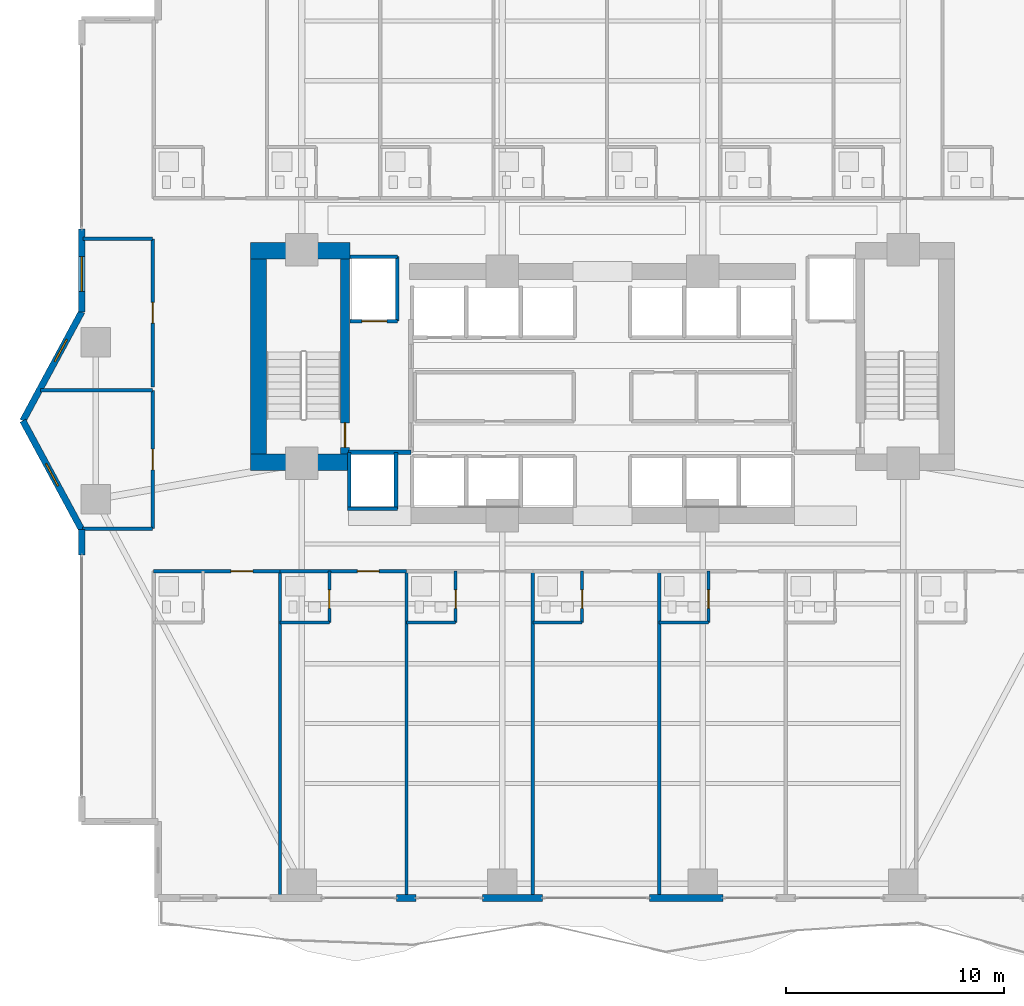
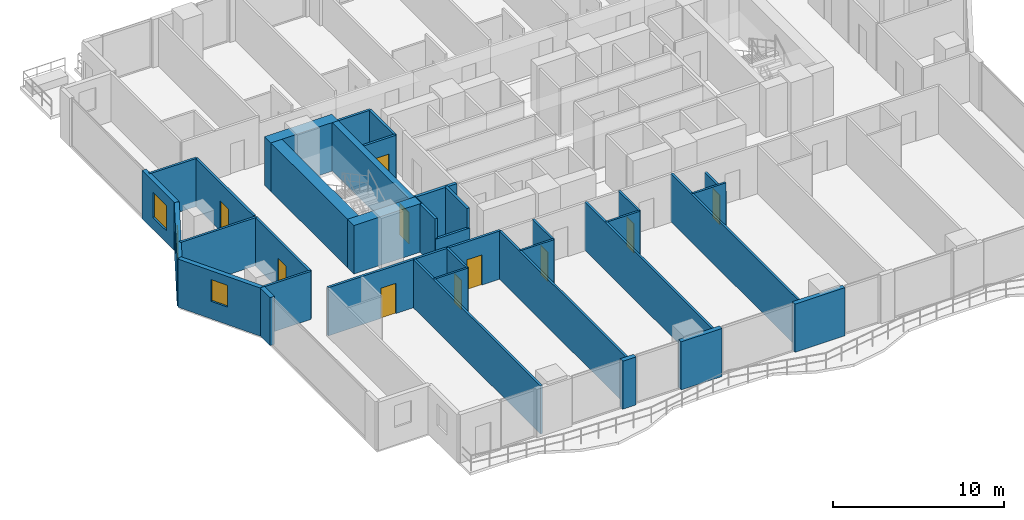
# One storey, part 21 of 29: 37 walls, 10 doors, 3 windows, 13 openings.
"""IFC4 building model written with IfcOpenShell, lengths in metres."""

from ifc_helpers import new_model, si_unit, direction, frame, frame_2d, origin, place, context, subcontext, project, spatial, rectangle, extrude, material, layer, layer_set, type_object, element, fill, save


model = new_model("IFC4")

# Units and contexts
model_context = context("Model", 3, precision=1e-05, world=origin(), true_north=direction((0.0, 1.0)))
body_context = subcontext(model_context, "Body", "Model", "MODEL_VIEW")
ifc_project = project(units=[si_unit("LENGTHUNIT", "METRE"), si_unit("AREAUNIT", "SQUARE_METRE"), si_unit("VOLUMEUNIT", "CUBIC_METRE"), si_unit("PLANEANGLEUNIT", "RADIAN"), si_unit("MASSUNIT", "GRAM", prefix="KILO")], contexts=[model_context])

# Site, building, storey
site_placement = place(None, origin())
site = spatial("IfcSite", under=ifc_project, at=site_placement, CompositionType="ELEMENT")
building_placement = place(site_placement, origin())
building = spatial("IfcBuilding", under=site, at=building_placement, Name="Zuhayl Quay Hotel", CompositionType="ELEMENT")
storey_placement = place(building_placement, frame((0.0, 0.0, 150.39990234375)))
storey = spatial("IfcBuildingStorey", under=building, at=storey_placement, Name="L38", CompositionType="ELEMENT", Elevation=150.39990234375)

# Walls
ifc_material_1 = material(Name="Concrete C60/75", Category="concrete")
ifc_layer_1 = layer(ifc_material_1, 0.75, Name="Concrete C60/75", Category="concrete")
ifc_layer_set_1 = layer_set([ifc_layer_1], Name="Concrete C60/75")
wall_type_1 = type_object("IfcWallType", Name="WL_CORE_750", PredefinedType="SHEAR", material=ifc_layer_set_1)
wall_1_placement = place(storey_placement, frame((-16.159912109375, 14.304931640625, 0.0), z_axis=(0.0, 0.0, 1.0), x_axis=(1.0, 0.0, 0.0)))
element("IfcWall", 1, at=wall_1_placement, inside=storey, type_object=wall_type_1, Name="L38 Core Shear Wall CW_NW", PredefinedType="SHEAR", context=body_context, shape_type="SweptSolid", body=[
    extrude(rectangle(XDim=4.559814453125, YDim=0.75, at=frame_2d((2.27978515625, 0.0))), origin(), (0.0, 0.0, 1.0), 3.460205078125),
])
wall_2_placement = place(storey_placement, frame((-15.784912109375, 4.969970703125, 0.0), z_axis=(0.0, 0.0, 1.0), x_axis=(0.0, 1.0, 0.0)))
element("IfcWall", 2, at=wall_2_placement, inside=storey, type_object=wall_type_1, Name="L38 Core Shear Wall CW_W", PredefinedType="SHEAR", context=body_context, shape_type="SweptSolid", body=[
    extrude(rectangle(XDim=8.9599609375, YDim=0.75, at=frame_2d((4.47998046875, 0.0))), origin(), (0.0, 0.0, 1.0), 3.460205078125),
])
wall_3_placement = place(storey_placement, frame((-16.159912109375, 4.594970703125, 0.0), z_axis=(0.0, 0.0, 1.0), x_axis=(1.0, 0.0, 0.0)))
element("IfcWall", 3, at=wall_3_placement, inside=storey, type_object=wall_type_1, Name="L38 Core Shear Wall CW_SW", PredefinedType="SHEAR", context=body_context, shape_type="SweptSolid", body=[
    extrude(rectangle(XDim=4.559814453125, YDim=0.75, at=frame_2d((2.27978515625, 0.0))), origin(), (0.0, 0.0, 1.0), 3.460205078125),
])
ifc_material_2 = material(Name="Precast concrete C45/55", Category="concrete")
ifc_layer_2 = layer(ifc_material_2, 0.300048828125, Name="Precast concrete C45/55", Category="concrete")
ifc_layer_set_2 = layer_set([ifc_layer_2], Name="Precast concrete C45/55")
wall_type_2 = type_object("IfcWallType", Name="WL_EXT_300", PredefinedType="STANDARD", material=ifc_layer_set_2)
wall_4_placement = place(storey_placement, frame((-23.89990234375, 0.35009765625, 0.0), z_axis=(0.0, 0.0, 1.0), x_axis=(0.0, 1.0, 0.0)))
element("IfcWall", 4, at=wall_4_placement, inside=storey, type_object=wall_type_2, Name="L38 Exterior Precast Wall ENV_L38_E02_EW2", PredefinedType="STANDARD", context=body_context, shape_type="SweptSolid", body=[
    extrude(rectangle(XDim=1.14990234375, YDim=0.300048828125, at=frame_2d((0.574951171875, 0.0))), origin(), (0.0, 0.0, 1.0), 3.43017578125),
])

# Wall, opening, window
wall_5_placement = place(storey_placement, frame((-23.89990234375, 1.5, 0.0), z_axis=(0.0, 0.0, 1.0), x_axis=(-0.475175525499, 0.879891027325, 0.0)))
wall_5 = element("IfcWall", 5, at=wall_5_placement, inside=storey, type_object=wall_type_2, Name="L38 Exterior Precast Wall ENV_L38_EW03", PredefinedType="STANDARD", context=body_context, shape_type="SweptSolid", body=[
    extrude(rectangle(XDim=5.6826171875, YDim=0.300048828125, at=frame_2d((2.84130859375, 0.0))), origin(), (0.0, 0.0, 1.0), 3.43017578125),
])
opening_1_placement = place(wall_5_placement, frame((2.290283203125, 0.0, 1.25)))
opening_1 = element("IfcOpeningElement", 6, at=opening_1_placement, cuts=wall_5, Name="Opening W01N", PredefinedType="OPENING", context=body_context, shape_type="SweptSolid", body=[
    extrude(rectangle(XDim=1.14990234375, YDim=1.550048828125, at=frame_2d((0.574951171875, 0.77490234375))), frame((0.0, 0.159912109375, 0.0), z_axis=(0.0, -1.0, 0.0), x_axis=(1.0, 0.0, 0.0)), (0.0, 0.0, 1.0), 0.320068359375),
])
ifc_material_3 = material(Name="Dark Ceramic-Fritted Solar Glass", Category="glass")
window_type_1 = type_object("IfcWindowType", Name="WN_NOTCH_1350", PartitioningType="SINGLE_PANEL", PredefinedType="WINDOW", material=ifc_material_3)
window_1_placement = place(opening_1_placement, origin())
window_1 = element("IfcWindow", 7, at=window_1_placement, inside=storey, type_object=window_type_1, Name="L38 Corner Notch Window 3", OverallHeight=1.550048828125, OverallWidth=1.14990234375, PartitioningType="SINGLE_PANEL", PredefinedType="WINDOW", context=body_context, shape_type="SweptSolid", body=[
    extrude(rectangle(XDim=1.14990234375, YDim=1.550048828125, at=frame_2d((0.574951171875, 0.77490234375))), frame((0.0, 0.030029296875, 0.0), z_axis=(0.0, -1.0, 0.0), x_axis=(1.0, 0.0, 0.0)), (0.0, 0.0, 1.0), 0.06005859375),
])
fill(opening_1, window_1)

wall_6_placement = place(storey_placement, frame((-26.60009765625, 6.5, 0.0), z_axis=(0.0, 0.0, 1.0), x_axis=(0.475175525499, 0.879891027325, 0.0)))
wall_6 = element("IfcWall", 8, at=wall_6_placement, inside=storey, type_object=wall_type_2, Name="L38 Exterior Precast Wall ENV_L38_EW04", PredefinedType="STANDARD", context=body_context, shape_type="SweptSolid", body=[
    extrude(rectangle(XDim=5.6826171875, YDim=0.300048828125, at=frame_2d((2.84130859375, 0.0))), origin(), (0.0, 0.0, 1.0), 3.43017578125),
])
opening_2_placement = place(wall_6_placement, frame((3.0859375, 0.0, 1.25)))
opening_2 = element("IfcOpeningElement", 9, at=opening_2_placement, cuts=wall_6, Name="Opening W01N", PredefinedType="OPENING", context=body_context, shape_type="SweptSolid", body=[
    extrude(rectangle(XDim=1.14990234375, YDim=1.550048828125, at=frame_2d((0.574951171875, 0.77490234375))), frame((0.0, 0.159912109375, 0.0), z_axis=(0.0, -1.0, 0.0), x_axis=(1.0, 0.0, 0.0)), (0.0, 0.0, 1.0), 0.320068359375),
])
window_2_placement = place(opening_2_placement, origin())
window_2 = element("IfcWindow", 10, at=window_2_placement, inside=storey, type_object=window_type_1, Name="L38 Corner Notch Window 4", OverallHeight=1.550048828125, OverallWidth=1.14990234375, PartitioningType="SINGLE_PANEL", PredefinedType="WINDOW", context=body_context, shape_type="SweptSolid", body=[
    extrude(rectangle(XDim=1.14990234375, YDim=1.550048828125, at=frame_2d((0.574951171875, 0.77490234375))), frame((0.0, 0.030029296875, 0.0), z_axis=(0.0, -1.0, 0.0), x_axis=(1.0, 0.0, 0.0)), (0.0, 0.0, 1.0), 0.06005859375),
])
fill(opening_2, window_2)

wall_7_placement = place(storey_placement, frame((-23.89990234375, 11.5, 0.0), z_axis=(0.0, 0.0, 1.0), x_axis=(0.0, 1.0, 0.0)))
wall_7 = element("IfcWall", 11, at=wall_7_placement, inside=storey, type_object=wall_type_2, Name="L38 Exterior Precast Wall ENV_L38_E05_EW1", PredefinedType="STANDARD", context=body_context, shape_type="SweptSolid", body=[
    extrude(rectangle(XDim=3.800048828125, YDim=0.300048828125, at=frame_2d((1.89990234375, 0.0))), origin(), (0.0, 0.0, 1.0), 3.43017578125),
])
opening_3_placement = place(wall_7_placement, frame((0.93505859375, 0.0, 0.85009765625)))
opening_3 = element("IfcOpeningElement", 12, at=opening_3_placement, cuts=wall_7, Name="Opening W01", PredefinedType="OPENING", context=body_context, shape_type="SweptSolid", body=[
    extrude(rectangle(XDim=1.60009765625, YDim=1.800048828125, at=frame_2d((0.800048828125, 0.89990234375))), frame((0.0, 0.159912109375, 0.0), z_axis=(0.0, -1.0, 0.0), x_axis=(1.0, 0.0, 0.0)), (0.0, 0.0, 1.0), 0.320068359375),
])
window_type_2 = type_object("IfcWindowType", Name="WN_OPERABLE_1600", PartitioningType="DOUBLE_PANEL_VERTICAL", PredefinedType="WINDOW", material=ifc_material_3)
window_3_placement = place(opening_3_placement, origin())
window_3 = element("IfcWindow", 13, at=window_3_placement, inside=storey, type_object=window_type_2, Name="L38 Operable Facade Window 1-1", OverallHeight=1.800048828125, OverallWidth=1.60009765625, PartitioningType="SINGLE_PANEL", PredefinedType="WINDOW", context=body_context, shape_type="SweptSolid", body=[
    extrude(rectangle(XDim=1.60009765625, YDim=1.800048828125, at=frame_2d((0.800048828125, 0.89990234375))), frame((0.0, 0.030029296875, 0.0), z_axis=(0.0, -1.0, 0.0), x_axis=(1.0, 0.0, 0.0)), (0.0, 0.0, 1.0), 0.06005859375),
])
fill(opening_3, window_3)

# Walls
wall_8_placement = place(storey_placement, frame((5.52001953125, -15.39990234375, 0.0), z_axis=(0.0, 0.0, 1.0), x_axis=(-1.0, 0.0, 0.0)))
element("IfcWall", 14, at=wall_8_placement, inside=storey, type_object=wall_type_2, Name="L38 Exterior Precast Wall ENV_L38_S_EW4", PredefinedType="STANDARD", context=body_context, shape_type="SweptSolid", body=[
    extrude(rectangle(XDim=3.3701171875, YDim=0.300048828125, at=frame_2d((1.68505859375, 0.0))), origin(), (0.0, 0.0, 1.0), 3.43017578125),
])
wall_9_placement = place(storey_placement, frame((-2.75, -15.39990234375, 0.0), z_axis=(0.0, 0.0, 1.0), x_axis=(-1.0, 0.0, 0.0)))
element("IfcWall", 15, at=wall_9_placement, inside=storey, type_object=wall_type_2, Name="L38 Exterior Precast Wall ENV_L38_S_EW5", PredefinedType="STANDARD", context=body_context, shape_type="SweptSolid", body=[
    extrude(rectangle(XDim=2.77001953125, YDim=0.300048828125, at=frame_2d((1.385009765625, 0.0))), origin(), (0.0, 0.0, 1.0), 3.43017578125),
])
wall_10_placement = place(storey_placement, frame((-8.550048828125, -15.39990234375, 0.0), z_axis=(0.0, 0.0, 1.0), x_axis=(-1.0, 0.0, 0.0)))
element("IfcWall", 16, at=wall_10_placement, inside=storey, type_object=wall_type_2, Name="L38 Exterior Precast Wall ENV_L38_S_EW6", PredefinedType="STANDARD", context=body_context, shape_type="SweptSolid", body=[
    extrude(rectangle(XDim=0.89990234375, YDim=0.300048828125, at=frame_2d((0.449951171875, 0.0))), origin(), (0.0, 0.0, 1.0), 3.43017578125),
])
ifc_material_4 = material(Name="Acoustic Gypsum Partition STC-58")
ifc_layer_3 = layer(ifc_material_4, 0.14990234375, Name="Acoustic Gypsum Partition STC-58")
ifc_layer_set_3 = layer_set([ifc_layer_3], Name="Acoustic Gypsum Partition STC-58")
wall_type_3 = type_object("IfcWallType", Name="WL_PART_150", PredefinedType="PARTITIONING", material=ifc_layer_set_3)
for number, where, z_axis, x_axis, name in (
    (17, (-14.800048828125, -15.320068359375, 0.0), (0.0, 0.0, 1.0), (0.0, 1.0, 0.0), "L38 Partition IW_L38_SU01_E"),
    (18, (-9.0, -15.320068359375, 0.0), (0.0, 0.0, 1.0), (0.0, 1.0, 0.0), "L38 Partition IW_L38_SU02_E"),
    (19, (-3.199951171875, -15.320068359375, 0.0), (0.0, 0.0, 1.0), (0.0, 1.0, 0.0), "L38 Partition IW_L38_SU03_E"),
    (20, (2.60009765625, -15.320068359375, 0.0), (0.0, 0.0, 1.0), (0.0, 1.0, 0.0), "L38 Partition IW_L38_SU04_E"),
):
    element("IfcWall", number, at=place(storey_placement, frame(where, z_axis=z_axis, x_axis=x_axis)), inside=storey, type_object=wall_type_3, Name=name, PredefinedType="PARTITIONING", context=body_context, shape_type="SweptSolid", body=[
        extrude(rectangle(XDim=14.920166015625, YDim=0.14990234375, at=frame_2d((7.4599609375, 0.0))), origin(), (0.0, 0.0, 1.0), 3.43017578125),
    ])
wall_11_placement = place(storey_placement, frame((-23.866943359375, 1.550048828125, 0.0), z_axis=(0.0, 0.0, 1.0), x_axis=(1.0, 0.0, 0.0)))
element("IfcWall", 21, at=wall_11_placement, inside=storey, type_object=wall_type_3, Name="L38 Partition IW_L38_WPROW_1_S", PredefinedType="PARTITIONING", context=body_context, shape_type="SweptSolid", body=[
    extrude(rectangle(XDim=3.217041015625, YDim=0.14990234375, at=frame_2d((1.6083984375, 0.0))), origin(), (0.0, 0.0, 1.0), 3.43017578125),
])
wall_12_placement = place(storey_placement, frame((-25.783935546875, 7.89990234375, 0.0), z_axis=(0.0, 0.0, 1.0), x_axis=(1.0, 0.0, 0.0)))
element("IfcWall", 22, at=wall_12_placement, inside=storey, type_object=wall_type_3, Name="L38 Partition IW_L38_WPROW_1_N", PredefinedType="PARTITIONING", context=body_context, shape_type="SweptSolid", body=[
    extrude(rectangle(XDim=5.134033203125, YDim=0.14990234375, at=frame_2d((2.56689453125, 0.0))), origin(), (0.0, 0.0, 1.0), 3.43017578125),
])
wall_13_placement = place(storey_placement, frame((-23.840087890625, 14.85009765625, 0.0), z_axis=(0.0, 0.0, 1.0), x_axis=(1.0, 0.0, 0.0)))
element("IfcWall", 23, at=wall_13_placement, inside=storey, type_object=wall_type_3, Name="L38 Partition IW_L38_WPROW_2_N", PredefinedType="PARTITIONING", context=body_context, shape_type="SweptSolid", body=[
    extrude(rectangle(XDim=3.190185546875, YDim=0.14990234375, at=frame_2d((1.59521484375, 0.0))), origin(), (0.0, 0.0, 1.0), 3.43017578125),
])

# Wall, opening, door
ifc_layer_4 = layer(ifc_material_4, 0.159912109375, Name="Acoustic Gypsum Partition STC-58")
ifc_layer_set_4 = layer_set([ifc_layer_4], Name="Acoustic Gypsum Partition STC-58")
wall_type_4 = type_object("IfcWallType", Name="WL_PART_CORR_160", PredefinedType="PARTITIONING", material=ifc_layer_set_4)
wall_14_placement = place(storey_placement, frame((-20.60009765625, -0.39990234375, 0.0), z_axis=(0.0, 0.0, 1.0), x_axis=(1.0, 0.0, 0.0)))
wall_14 = element("IfcWall", 24, at=wall_14_placement, inside=storey, type_object=wall_type_4, Name="L38 Partition IW_L38_SU01_COR", PredefinedType="PARTITIONING", context=body_context, shape_type="SweptSolid", body=[
    extrude(rectangle(XDim=5.800048828125, YDim=0.159912109375, at=frame_2d((2.89990234375, 0.0))), origin(), (0.0, 0.0, 1.0), 3.43017578125),
])
opening_4_placement = place(wall_14_placement, frame((3.550048828125, 0.0, 0.0)))
opening_4 = element("IfcOpeningElement", 25, at=opening_4_placement, cuts=wall_14, Name="Opening D03L", PredefinedType="OPENING", context=body_context, shape_type="SweptSolid", body=[
    extrude(rectangle(XDim=1.0, YDim=2.14990234375, at=frame_2d((0.5, 1.074951171875))), frame((0.0, 0.08984375, 0.0), z_axis=(0.0, -1.0, 0.0), x_axis=(1.0, 0.0, 0.0)), (0.0, 0.0, 1.0), 0.179931640625),
])
ifc_material_5 = material(Name="Solid Walnut Acoustic Fire Door")
door_type_1 = type_object("IfcDoorType", Name="DR_SUITE_1000", OperationType="NOTDEFINED", PredefinedType="DOOR", material=ifc_material_5)
door_1_placement = place(opening_4_placement, origin())
door_1 = element("IfcDoor", 26, at=door_1_placement, inside=storey, type_object=door_type_1, Name="L38 Premier Twin Junior Suite L38-01 Entrance Door", OperationType="SINGLE_SWING_RIGHT", OverallHeight=2.14990234375, OverallWidth=1.0, PredefinedType="DOOR", context=body_context, shape_type="SweptSolid", body=[
    extrude(rectangle(XDim=1.0, YDim=2.14990234375, at=frame_2d((0.5, 1.074951171875))), frame((0.0, 0.02490234375, 0.0), z_axis=(0.0, -1.0, 0.0), x_axis=(1.0, 0.0, 0.0)), (0.0, 0.0, 1.0), 0.050048828125),
])
fill(opening_4, door_1)

wall_15_placement = place(storey_placement, frame((-14.800048828125, -0.39990234375, 0.0), z_axis=(0.0, 0.0, 1.0), x_axis=(1.0, 0.0, 0.0)))
wall_15 = element("IfcWall", 27, at=wall_15_placement, inside=storey, type_object=wall_type_4, Name="L38 Partition IW_L38_SU02_COR", PredefinedType="PARTITIONING", context=body_context, shape_type="SweptSolid", body=[
    extrude(rectangle(XDim=5.800048828125, YDim=0.159912109375, at=frame_2d((2.89990234375, 0.0))), origin(), (0.0, 0.0, 1.0), 3.43017578125),
])
opening_5_placement = place(wall_15_placement, frame((3.550048828125, 0.0, 0.0)))
opening_5 = element("IfcOpeningElement", 28, at=opening_5_placement, cuts=wall_15, Name="Opening D03L", PredefinedType="OPENING", context=body_context, shape_type="SweptSolid", body=[
    extrude(rectangle(XDim=1.0, YDim=2.14990234375, at=frame_2d((0.5, 1.074951171875))), frame((0.0, 0.08984375, 0.0), z_axis=(0.0, -1.0, 0.0), x_axis=(1.0, 0.0, 0.0)), (0.0, 0.0, 1.0), 0.179931640625),
])
door_2_placement = place(opening_5_placement, origin())
door_2 = element("IfcDoor", 29, at=door_2_placement, inside=storey, type_object=door_type_1, Name="L38 Premier Twin Junior Suite L38-02 Entrance Door", OperationType="SINGLE_SWING_RIGHT", OverallHeight=2.14990234375, OverallWidth=1.0, PredefinedType="DOOR", context=body_context, shape_type="SweptSolid", body=[
    extrude(rectangle(XDim=1.0, YDim=2.14990234375, at=frame_2d((0.5, 1.074951171875))), frame((0.0, 0.02490234375, 0.0), z_axis=(0.0, -1.0, 0.0), x_axis=(1.0, 0.0, 0.0)), (0.0, 0.0, 1.0), 0.050048828125),
])
fill(opening_5, door_2)

wall_16_placement = place(storey_placement, frame((-20.64990234375, 1.550048828125, 0.0), z_axis=(0.0, 0.0, 1.0), x_axis=(0.0, 1.0, 0.0)))
wall_16 = element("IfcWall", 30, at=wall_16_placement, inside=storey, type_object=wall_type_4, Name="L38 Partition IW_L38_WPROW_1_E", PredefinedType="PARTITIONING", context=body_context, shape_type="SweptSolid", body=[
    extrude(rectangle(XDim=6.349853515625, YDim=0.159912109375, at=frame_2d((3.1748046875, 0.0))), origin(), (0.0, 0.0, 1.0), 3.43017578125),
])
opening_6_placement = place(wall_16_placement, frame((2.699951171875, 0.0, 0.0)))
opening_6 = element("IfcOpeningElement", 31, at=opening_6_placement, cuts=wall_16, Name="Opening D03", PredefinedType="OPENING", context=body_context, shape_type="SweptSolid", body=[
    extrude(rectangle(XDim=0.949951171875, YDim=2.14990234375, at=frame_2d((0.47509765625, 1.074951171875))), frame((0.0, 0.08984375, 0.0), z_axis=(0.0, -1.0, 0.0), x_axis=(1.0, 0.0, 0.0)), (0.0, 0.0, 1.0), 0.179931640625),
])
door_type_2 = type_object("IfcDoorType", Name="DR_SUITE_950", OperationType="NOTDEFINED", PredefinedType="DOOR", material=ifc_material_5)
door_3_placement = place(opening_6_placement, origin())
door_3 = element("IfcDoor", 32, at=door_3_placement, inside=storey, type_object=door_type_2, Name="L38 West Prow Office L38 Door", OperationType="SINGLE_SWING_RIGHT", OverallHeight=2.14990234375, OverallWidth=0.949951171875, PredefinedType="DOOR", context=body_context, shape_type="SweptSolid", body=[
    extrude(rectangle(XDim=0.949951171875, YDim=2.14990234375, at=frame_2d((0.47509765625, 1.074951171875))), frame((0.0, 0.02490234375, 0.0), z_axis=(0.0, -1.0, 0.0), x_axis=(1.0, 0.0, 0.0)), (0.0, 0.0, 1.0), 0.050048828125),
])
fill(opening_6, door_3)

wall_17_placement = place(storey_placement, frame((-20.64990234375, 8.06005859375, 0.0), z_axis=(0.0, 0.0, 1.0), x_axis=(0.0, 1.0, 0.0)))
wall_17 = element("IfcWall", 33, at=wall_17_placement, inside=storey, type_object=wall_type_4, Name="L38 Partition IW_L38_WPROW_2_E", PredefinedType="PARTITIONING", context=body_context, shape_type="SweptSolid", body=[
    extrude(rectangle(XDim=6.7900390625, YDim=0.159912109375, at=frame_2d((3.39501953125, 0.0))), origin(), (0.0, 0.0, 1.0), 3.43017578125),
])
opening_7_placement = place(wall_17_placement, frame((2.919921875, 0.0, 0.0)))
opening_7 = element("IfcOpeningElement", 34, at=opening_7_placement, cuts=wall_17, Name="Opening D03", PredefinedType="OPENING", context=body_context, shape_type="SweptSolid", body=[
    extrude(rectangle(XDim=0.949951171875, YDim=2.14990234375, at=frame_2d((0.47509765625, 1.074951171875))), frame((0.0, 0.08984375, 0.0), z_axis=(0.0, -1.0, 0.0), x_axis=(1.0, 0.0, 0.0)), (0.0, 0.0, 1.0), 0.179931640625),
])
door_4_placement = place(opening_7_placement, origin())
door_4 = element("IfcDoor", 35, at=door_4_placement, inside=storey, type_object=door_type_2, Name="L38 Sunset Lounge L38 Door", OperationType="SINGLE_SWING_LEFT", OverallHeight=2.14990234375, OverallWidth=0.949951171875, PredefinedType="DOOR", context=body_context, shape_type="SweptSolid", body=[
    extrude(rectangle(XDim=0.949951171875, YDim=2.14990234375, at=frame_2d((0.47509765625, 1.074951171875))), frame((0.0, 0.02490234375, 0.0), z_axis=(0.0, -1.0, 0.0), x_axis=(1.0, 0.0, 0.0)), (0.0, 0.0, 1.0), 0.050048828125),
])
fill(opening_7, door_4)

ifc_material_6 = material(Name="Moisture-Resistant Sanitarychase Gypsum")
ifc_layer_5 = layer(ifc_material_6, 0.135009765625, Name="Moisture-Resistant Sanitarychase Gypsum")
ifc_layer_set_5 = layer_set([ifc_layer_5], Name="Moisture-Resistant Sanitarychase Gypsum")
wall_type_5 = type_object("IfcWallType", Name="WL_PART_PLUMB_150", PredefinedType="PLUMBINGWALL", material=ifc_layer_set_5)
wall_18_placement = place(storey_placement, frame((-12.5400390625, -2.760009765625, 0.0), z_axis=(0.0, 0.0, 1.0), x_axis=(0.0, 1.0, 0.0)))
wall_18 = element("IfcWall", 36, at=wall_18_placement, inside=storey, type_object=wall_type_5, Name="L38 Partition IW_L38_SU02_BE", PredefinedType="PLUMBINGWALL", context=body_context, shape_type="SweptSolid", body=[
    extrude(rectangle(XDim=2.360107421875, YDim=0.135009765625, at=frame_2d((1.18017578125, 0.0))), origin(), (0.0, 0.0, 1.0), 3.43017578125),
])
opening_8_placement = place(wall_18_placement, frame((0.64990234375, 0.0, 0.0)))
opening_8 = element("IfcOpeningElement", 37, at=opening_8_placement, cuts=wall_18, Name="Opening D04", PredefinedType="OPENING", context=body_context, shape_type="SweptSolid", body=[
    extrude(rectangle(XDim=0.85009765625, YDim=2.10009765625, at=frame_2d((0.425048828125, 1.050048828125))), frame((0.0, 0.077392578125, 0.0), z_axis=(0.0, -1.0, 0.0), x_axis=(1.0, 0.0, 0.0)), (0.0, 0.0, 1.0), 0.155029296875),
])
ifc_material_7 = material(Name="Moisture-Resistant Walnut Veneer")
door_type_3 = type_object("IfcDoorType", Name="DR_BATH_850", OperationType="NOTDEFINED", PredefinedType="DOOR", material=ifc_material_7)
door_5_placement = place(opening_8_placement, origin())
door_5 = element("IfcDoor", 38, at=door_5_placement, inside=storey, type_object=door_type_3, Name="L38 Premier Twin Junior Suite L38-02 En-Suite Door", OperationType="SINGLE_SWING_LEFT", OverallHeight=2.10009765625, OverallWidth=0.85009765625, PredefinedType="DOOR", context=body_context, shape_type="SweptSolid", body=[
    extrude(rectangle(XDim=0.85009765625, YDim=2.10009765625, at=frame_2d((0.425048828125, 1.050048828125))), frame((0.0, 0.02490234375, 0.0), z_axis=(0.0, -1.0, 0.0), x_axis=(1.0, 0.0, 0.0)), (0.0, 0.0, 1.0), 0.050048828125),
])
fill(opening_8, door_5)

wall_19_placement = place(storey_placement, frame((-6.739990234375, -2.760009765625, 0.0), z_axis=(0.0, 0.0, 1.0), x_axis=(0.0, 1.0, 0.0)))
wall_19 = element("IfcWall", 39, at=wall_19_placement, inside=storey, type_object=wall_type_5, Name="L38 Partition IW_L38_SU03_BE", PredefinedType="PLUMBINGWALL", context=body_context, shape_type="SweptSolid", body=[
    extrude(rectangle(XDim=2.360107421875, YDim=0.135009765625, at=frame_2d((1.18017578125, 0.0))), origin(), (0.0, 0.0, 1.0), 3.43017578125),
])
opening_9_placement = place(wall_19_placement, frame((0.64990234375, 0.0, 0.0)))
opening_9 = element("IfcOpeningElement", 40, at=opening_9_placement, cuts=wall_19, Name="Opening D04", PredefinedType="OPENING", context=body_context, shape_type="SweptSolid", body=[
    extrude(rectangle(XDim=0.85009765625, YDim=2.10009765625, at=frame_2d((0.425048828125, 1.050048828125))), frame((0.0, 0.077392578125, 0.0), z_axis=(0.0, -1.0, 0.0), x_axis=(1.0, 0.0, 0.0)), (0.0, 0.0, 1.0), 0.155029296875),
])
door_6_placement = place(opening_9_placement, origin())
door_6 = element("IfcDoor", 41, at=door_6_placement, inside=storey, type_object=door_type_3, Name="L38 Premier Twin Junior Suite L38-03 En-Suite Door", OperationType="SINGLE_SWING_LEFT", OverallHeight=2.10009765625, OverallWidth=0.85009765625, PredefinedType="DOOR", context=body_context, shape_type="SweptSolid", body=[
    extrude(rectangle(XDim=0.85009765625, YDim=2.10009765625, at=frame_2d((0.425048828125, 1.050048828125))), frame((0.0, 0.02490234375, 0.0), z_axis=(0.0, -1.0, 0.0), x_axis=(1.0, 0.0, 0.0)), (0.0, 0.0, 1.0), 0.050048828125),
])
fill(opening_9, door_6)

wall_20_placement = place(storey_placement, frame((-0.93994140625, -2.760009765625, 0.0), z_axis=(0.0, 0.0, 1.0), x_axis=(0.0, 1.0, 0.0)))
wall_20 = element("IfcWall", 42, at=wall_20_placement, inside=storey, type_object=wall_type_5, Name="L38 Partition IW_L38_SU04_BE", PredefinedType="PLUMBINGWALL", context=body_context, shape_type="SweptSolid", body=[
    extrude(rectangle(XDim=2.360107421875, YDim=0.135009765625, at=frame_2d((1.18017578125, 0.0))), origin(), (0.0, 0.0, 1.0), 3.43017578125),
])
opening_10_placement = place(wall_20_placement, frame((0.64990234375, 0.0, 0.0)))
opening_10 = element("IfcOpeningElement", 43, at=opening_10_placement, cuts=wall_20, Name="Opening D04", PredefinedType="OPENING", context=body_context, shape_type="SweptSolid", body=[
    extrude(rectangle(XDim=0.85009765625, YDim=2.10009765625, at=frame_2d((0.425048828125, 1.050048828125))), frame((0.0, 0.077392578125, 0.0), z_axis=(0.0, -1.0, 0.0), x_axis=(1.0, 0.0, 0.0)), (0.0, 0.0, 1.0), 0.155029296875),
])
door_7_placement = place(opening_10_placement, origin())
door_7 = element("IfcDoor", 44, at=door_7_placement, inside=storey, type_object=door_type_3, Name="L38 Premier Twin Junior Suite L38-04 En-Suite Door", OperationType="SINGLE_SWING_LEFT", OverallHeight=2.10009765625, OverallWidth=0.85009765625, PredefinedType="DOOR", context=body_context, shape_type="SweptSolid", body=[
    extrude(rectangle(XDim=0.85009765625, YDim=2.10009765625, at=frame_2d((0.425048828125, 1.050048828125))), frame((0.0, 0.02490234375, 0.0), z_axis=(0.0, -1.0, 0.0), x_axis=(1.0, 0.0, 0.0)), (0.0, 0.0, 1.0), 0.050048828125),
])
fill(opening_10, door_7)

wall_21_placement = place(storey_placement, frame((4.860107421875, -2.760009765625, 0.0), z_axis=(0.0, 0.0, 1.0), x_axis=(0.0, 1.0, 0.0)))
wall_21 = element("IfcWall", 45, at=wall_21_placement, inside=storey, type_object=wall_type_5, Name="L38 Partition IW_L38_SU05_BE", PredefinedType="PLUMBINGWALL", context=body_context, shape_type="SweptSolid", body=[
    extrude(rectangle(XDim=2.360107421875, YDim=0.135009765625, at=frame_2d((1.18017578125, 0.0))), origin(), (0.0, 0.0, 1.0), 2.7470703125),
])
opening_11_placement = place(wall_21_placement, frame((0.64990234375, 0.0, 0.0)))
opening_11 = element("IfcOpeningElement", 46, at=opening_11_placement, cuts=wall_21, Name="Opening D04", PredefinedType="OPENING", context=body_context, shape_type="SweptSolid", body=[
    extrude(rectangle(XDim=0.85009765625, YDim=2.10009765625, at=frame_2d((0.425048828125, 1.050048828125))), frame((0.0, 0.077392578125, 0.0), z_axis=(0.0, -1.0, 0.0), x_axis=(1.0, 0.0, 0.0)), (0.0, 0.0, 1.0), 0.155029296875),
])
door_8_placement = place(opening_11_placement, origin())
door_8 = element("IfcDoor", 47, at=door_8_placement, inside=storey, type_object=door_type_3, Name="L38 Premier Twin Junior Suite L38-05 En-Suite Door", OperationType="SINGLE_SWING_LEFT", OverallHeight=2.10009765625, OverallWidth=0.85009765625, PredefinedType="DOOR", context=body_context, shape_type="SweptSolid", body=[
    extrude(rectangle(XDim=0.85009765625, YDim=2.10009765625, at=frame_2d((0.425048828125, 1.050048828125))), frame((0.0, 0.02490234375, 0.0), z_axis=(0.0, -1.0, 0.0), x_axis=(1.0, 0.0, 0.0)), (0.0, 0.0, 1.0), 0.050048828125),
])
fill(opening_11, door_8)

# Walls
for number, where, z_axis, x_axis, name in (
    (48, (-14.800048828125, -2.760009765625, 0.0), (0.0, 0.0, 1.0), (1.0, 0.0, 0.0), "L38 Partition IW_L38_SU02_BS"),
    (49, (-9.0, -2.760009765625, 0.0), (0.0, 0.0, 1.0), (1.0, 0.0, 0.0), "L38 Partition IW_L38_SU03_BS"),
    (50, (-3.199951171875, -2.760009765625, 0.0), (0.0, 0.0, 1.0), (1.0, 0.0, 0.0), "L38 Partition IW_L38_SU04_BS"),
    (51, (2.60009765625, -2.760009765625, 0.0), (0.0, 0.0, 1.0), (1.0, 0.0, 0.0), "L38 Partition IW_L38_SU05_BS"),
):
    element("IfcWall", number, at=place(storey_placement, frame(where, z_axis=z_axis, x_axis=x_axis)), inside=storey, type_object=wall_type_5, Name=name, PredefinedType="PLUMBINGWALL", context=body_context, shape_type="SweptSolid", body=[
        extrude(rectangle(XDim=2.260009765625, YDim=0.135009765625, at=frame_2d((1.1298828125, 0.0))), origin(), (0.0, 0.0, 1.0), 3.43017578125),
    ])

# Wall, opening, door
ifc_material_8 = material(Name="Gypsum Fireboard Assembly EI-90")
ifc_layer_6 = layer(ifc_material_8, 0.1650390625, Name="Gypsum Fireboard Assembly EI-90")
ifc_layer_set_6 = layer_set([ifc_layer_6], Name="Gypsum Fireboard Assembly EI-90")
wall_type_6 = type_object("IfcWallType", Name="WL_PART_SHAFT_160", PredefinedType="PARTITIONING", material=ifc_layer_set_6)
wall_22_placement = place(storey_placement, frame((-11.580078125, 11.070068359375, 0.0), z_axis=(0.0, 0.0, 1.0), x_axis=(1.0, 0.0, 0.0)))
wall_22 = element("IfcWall", 52, at=wall_22_placement, inside=storey, type_object=wall_type_6, Name="L38 Partition IW_L38_SH_FL1_F", PredefinedType="PARTITIONING", context=body_context, shape_type="SweptSolid", body=[
    extrude(rectangle(XDim=2.16015625, YDim=0.1650390625, at=frame_2d((1.080078125, 0.0))), origin(), (0.0, 0.0, 1.0), 3.43017578125),
])
opening_12_placement = place(wall_22_placement, frame((0.530029296875, 0.0, 0.0)))
opening_12 = element("IfcOpeningElement", 53, at=opening_12_placement, cuts=wall_22, Name="Opening LD2", PredefinedType="OPENING", context=body_context, shape_type="SweptSolid", body=[
    extrude(rectangle(XDim=1.14990234375, YDim=2.25, at=frame_2d((0.574951171875, 1.125))), frame((0.0, 0.092529296875, 0.0), z_axis=(0.0, -1.0, 0.0), x_axis=(1.0, 0.0, 0.0)), (0.0, 0.0, 1.0), 0.18505859375),
])
ifc_material_9 = material(Name="Brushed Stainless Steel", Category="steel")
door_type_4 = type_object("IfcDoorType", Name="DR_LIFT_FF_1100", OperationType="SLIDING_TO_LEFT", PredefinedType="DOOR", material=ifc_material_9)
door_9_placement = place(opening_12_placement, origin())
door_9 = element("IfcDoor", 54, at=door_9_placement, inside=storey, type_object=door_type_4, Name="L38 Lift FL1 Sliding Landing Door", OperationType="SLIDING_TO_LEFT", OverallHeight=2.25, OverallWidth=1.14990234375, PredefinedType="DOOR", context=body_context, shape_type="SweptSolid", body=[
    extrude(rectangle(XDim=1.14990234375, YDim=2.25, at=frame_2d((0.574951171875, 1.125))), frame((0.0, 0.02490234375, 0.0), z_axis=(0.0, -1.0, 0.0), x_axis=(1.0, 0.0, 0.0)), (0.0, 0.0, 1.0), 0.050048828125),
])
fill(opening_12, door_9)

# Walls
wall_23_placement = place(storey_placement, frame((-9.419921875, 11.070068359375, 0.0), z_axis=(0.0, 0.0, 1.0), x_axis=(0.0, 1.0, 0.0)))
element("IfcWall", 55, at=wall_23_placement, inside=storey, type_object=wall_type_6, Name="L38 Partition IW_L38_SH_FL1_E", PredefinedType="PARTITIONING", context=body_context, shape_type="SweptSolid", body=[
    extrude(rectangle(XDim=2.9599609375, YDim=0.1650390625, at=frame_2d((1.47998046875, 0.0))), origin(), (0.0, 0.0, 1.0), 3.43017578125),
])
wall_24_placement = place(storey_placement, frame((-11.580078125, 14.030029296875, 0.0), z_axis=(0.0, 0.0, 1.0), x_axis=(1.0, 0.0, 0.0)))
element("IfcWall", 56, at=wall_24_placement, inside=storey, type_object=wall_type_6, Name="L38 Partition IW_L38_SH_FL1_B", PredefinedType="PARTITIONING", context=body_context, shape_type="SweptSolid", body=[
    extrude(rectangle(XDim=2.16015625, YDim=0.1650390625, at=frame_2d((1.080078125, 0.0))), origin(), (0.0, 0.0, 1.0), 3.43017578125),
])
wall_25_placement = place(storey_placement, frame((-11.6298828125, 2.469970703125, 0.0), z_axis=(0.0, 0.0, 1.0), x_axis=(0.0, 1.0, 0.0)))
element("IfcWall", 57, at=wall_25_placement, inside=storey, type_object=wall_type_6, Name="L38 Partition IW_L38_RISER_W", PredefinedType="PARTITIONING", context=body_context, shape_type="SweptSolid", body=[
    extrude(rectangle(XDim=2.580078125, YDim=0.1650390625, at=frame_2d((1.2900390625, 0.0))), origin(), (0.0, 0.0, 1.0), 3.43017578125),
])
wall_26_placement = place(storey_placement, frame((-11.7099609375, 2.469970703125, 0.0), z_axis=(0.0, 0.0, 1.0), x_axis=(1.0, 0.0, 0.0)))
element("IfcWall", 58, at=wall_26_placement, inside=storey, type_object=wall_type_6, Name="L38 Partition IW_L38_RISER_S", PredefinedType="PARTITIONING", context=body_context, shape_type="SweptSolid", body=[
    extrude(rectangle(XDim=2.31005859375, YDim=0.1650390625, at=frame_2d((1.155029296875, 0.0))), origin(), (0.0, 0.0, 1.0), 2.030029296875),
])
ifc_layer_7 = layer(ifc_material_8, 0.179931640625, Name="Gypsum Fireboard Assembly EI-90")
ifc_layer_set_7 = layer_set([ifc_layer_7], Name="Gypsum Fireboard Assembly EI-90")
wall_type_7 = type_object("IfcWallType", Name="WL_PART_SHAFT_180", PredefinedType="PARTITIONING", material=ifc_layer_set_7)
wall_27_placement = place(storey_placement, frame((-9.469970703125, 2.449951171875, 0.0), z_axis=(0.0, 0.0, 1.0), x_axis=(0.0, 1.0, 0.0)))
element("IfcWall", 59, at=wall_27_placement, inside=storey, type_object=wall_type_7, Name="L38 Partition IW_L38_RISER_E", PredefinedType="PARTITIONING", context=body_context, shape_type="SweptSolid", body=[
    extrude(rectangle(XDim=2.60009765625, YDim=0.179931640625, at=frame_2d((1.300048828125, 0.0))), origin(), (0.0, 0.0, 1.0), 3.43017578125),
])
ifc_material_10 = material(Name="Gypsum Fireboard Assembly EI-120")
ifc_layer_8 = layer(ifc_material_10, 0.199951171875, Name="Gypsum Fireboard Assembly EI-120")
ifc_layer_set_8 = layer_set([ifc_layer_8], Name="Gypsum Fireboard Assembly EI-120")
wall_type_8 = type_object("IfcWallType", Name="WL_PART_SHAFT_200", PredefinedType="PARTITIONING", material=ifc_layer_set_8)
wall_28_placement = place(storey_placement, frame((-11.64990234375, 5.050048828125, 0.0), z_axis=(0.0, 0.0, 1.0), x_axis=(1.0, 0.0, 0.0)))
element("IfcWall", 60, at=wall_28_placement, inside=storey, type_object=wall_type_8, Name="L38 Partition IW_L38_FSAE_W_S", PredefinedType="PARTITIONING", context=body_context, shape_type="SweptSolid", body=[
    extrude(rectangle(XDim=2.849853515625, YDim=0.199951171875, at=frame_2d((1.4248046875, 0.0))), origin(), (0.0, 0.0, 1.0), 3.43017578125),
])

# Wall, opening, door
ifc_layer_9 = layer(ifc_material_1, 0.39990234375, Name="Concrete C60/75", Category="concrete")
ifc_layer_set_9 = layer_set([ifc_layer_9], Name="Concrete C60/75")
wall_type_9 = type_object("IfcWallType", Name="WL_STAIR_400", PredefinedType="SHEAR", material=ifc_layer_set_9)
wall_29_placement = place(storey_placement, frame((-11.820068359375, 4.969970703125, 0.0), z_axis=(0.0, 0.0, 1.0), x_axis=(0.0, 1.0, 0.0)))
wall_29 = element("IfcWall", 61, at=wall_29_placement, inside=storey, type_object=wall_type_9, Name="L38 Core Shear Wall SW_ST1", PredefinedType="SHEAR", context=body_context, shape_type="SweptSolid", body=[
    extrude(rectangle(XDim=8.9599609375, YDim=0.39990234375, at=frame_2d((4.47998046875, 0.0))), origin(), (0.0, 0.0, 1.0), 3.460205078125),
])
opening_13_placement = place(wall_29_placement, frame((0.31005859375, 0.0, 0.0)))
opening_13 = element("IfcOpeningElement", 62, at=opening_13_placement, cuts=wall_29, Name="Opening D01", PredefinedType="OPENING", context=body_context, shape_type="SweptSolid", body=[
    extrude(rectangle(XDim=1.1201171875, YDim=2.219970703125, at=frame_2d((0.56005859375, 1.10986328125))), frame((0.0, 0.2099609375, 0.0), z_axis=(0.0, -1.0, 0.0), x_axis=(1.0, 0.0, 0.0)), (0.0, 0.0, 1.0), 0.419921875),
])
ifc_material_11 = material(Name="Steel ASTM A992 Grade 50", Category="steel")
door_type_5 = type_object("IfcDoorType", Name="DR_STAIR_90_1100", OperationType="NOTDEFINED", PredefinedType="DOOR", material=ifc_material_11)
door_10_placement = place(opening_13_placement, origin())
door_10 = element("IfcDoor", 63, at=door_10_placement, inside=storey, type_object=door_type_5, Name="L38 Smokeproof Exit Stair ST1 Door", OperationType="SINGLE_SWING_LEFT", OverallHeight=2.219970703125, OverallWidth=1.1201171875, PredefinedType="DOOR", context=body_context, shape_type="SweptSolid", body=[
    extrude(rectangle(XDim=1.1201171875, YDim=2.219970703125, at=frame_2d((0.56005859375, 1.10986328125))), frame((0.0, 0.02490234375, 0.0), z_axis=(0.0, -1.0, 0.0), x_axis=(1.0, 0.0, 0.0)), (0.0, 0.0, 1.0), 0.050048828125),
])
fill(opening_13, door_10)

save(model, "model.ifc")
